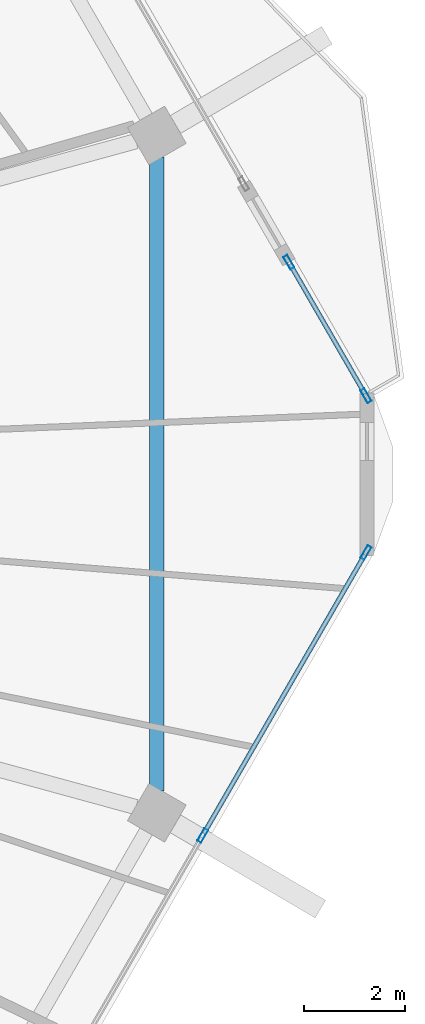
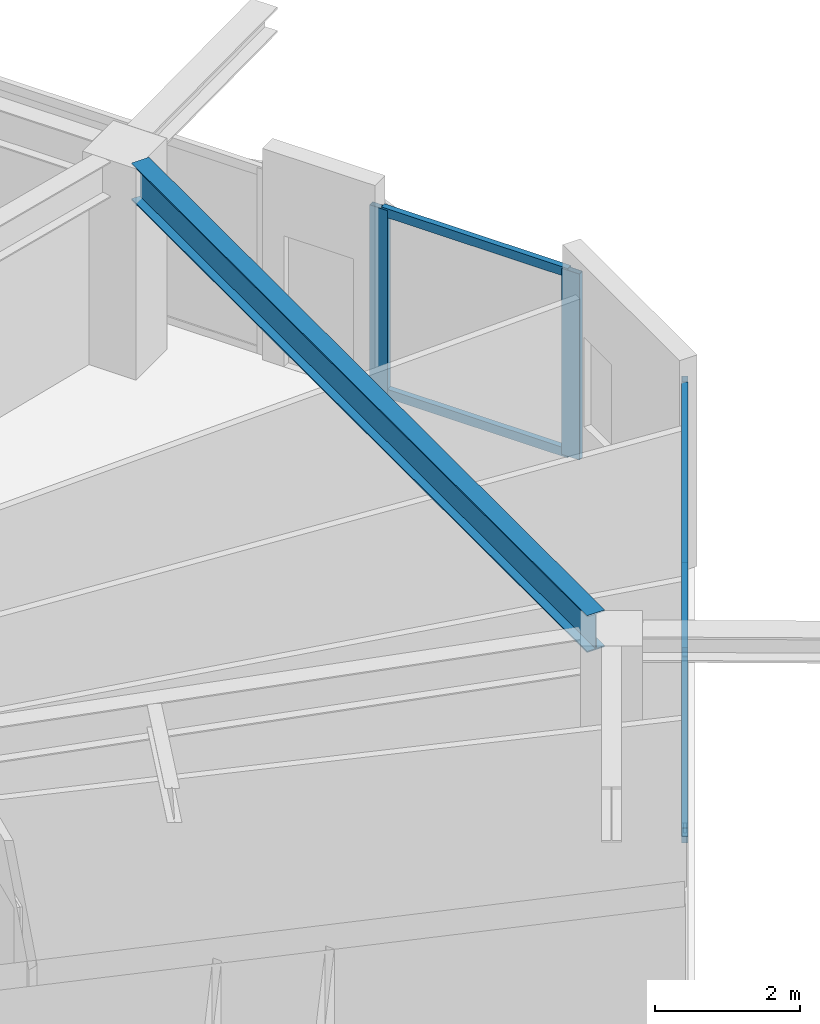
# One storey, part 10 of 26: 8 members, 1 beam, 2 elements without a shape of their own.
"""IFC4 building model written with IfcOpenShell, lengths in metres."""

from ifc_helpers import new_model, si_unit, direction, frame, origin, origin_2d, place, context, subcontext, project, spatial, hollow_rectangle, i_section, extrude, material, material_profile, profile_set, type_object, element, aggregate, save


model = new_model("IFC4")

# Units and contexts
model_context = context("Model", 3, precision=1e-05, world=origin(), true_north=direction((0.0, 1.0)))
body_context = subcontext(model_context, "Body", "Model", "MODEL_VIEW")
ifc_project = project(units=[si_unit("LENGTHUNIT", "METRE"), si_unit("AREAUNIT", "SQUARE_METRE"), si_unit("VOLUMEUNIT", "CUBIC_METRE"), si_unit("PLANEANGLEUNIT", "RADIAN"), si_unit("MASSUNIT", "GRAM", prefix="KILO")], contexts=[model_context])

# Site, building, storey
site_placement = place(None, origin())
site = spatial("IfcSite", under=ifc_project, at=site_placement, CompositionType="ELEMENT")
building_placement = place(site_placement, origin())
building = spatial("IfcBuilding", under=site, at=building_placement, Name="Zuhravey Tower", CompositionType="ELEMENT")
storey_placement = place(building_placement, frame((0.0, 0.0, 295.800048828125)))
storey = spatial("IfcBuildingStorey", under=building, at=storey_placement, Name="L75", CompositionType="ELEMENT", Elevation=295.800048828125)

# Curtain wall, members
ifc_material_1 = material(Name="Thermally broken anodised aluminium", Category="aluminium")
curtain_wall_type = type_object("IfcCurtainWallType", Name="Zone 3-4 High-Rise Curtain Wall CW4", PredefinedType="NOTDEFINED", material=ifc_material_1)
curtain_wall_1_placement = place(storey_placement, origin())
curtain_wall_1 = element("IfcCurtainWall", 1, at=curtain_wall_1_placement, inside=storey, type_object=curtain_wall_type, Name="L75 CW4 CW-L75-F6-1", PredefinedType="NOTDEFINED")
ifc_material_2 = material(Name="Anodised aluminium", Category="aluminium")
ifc_material_profile_1 = material_profile(ifc_material_2, hollow_rectangle(XDim=0.090087890625, YDim=0.284912109375, WallThickness=0.0048828125, at=origin_2d()), Name="ALU-RHS-90x285x5")
ifc_profile_set_1 = profile_set([ifc_material_profile_1], Name="Anodised aluminium")
member_type_1 = type_object("IfcMemberType", Name="Curtain-Wall Mullion 90x180", PredefinedType="MULLION", material=ifc_profile_set_1)
member_1_placement = place(storey_placement, frame((64.62255859375, 30.448486328125, 0.0), z_axis=(0.0, 0.0, 1.0), x_axis=(0.866024851021, -0.500000957414, 0.0)))
member_1 = element("IfcMember", 2, at=member_1_placement, type_object=member_type_1, Name="CW4 mullion 1", PredefinedType="MULLION", context=body_context, shape_type="SweptSolid", body=[
    extrude(hollow_rectangle(XDim=0.090087890625, YDim=0.284912109375, WallThickness=0.0048828125, at=origin_2d()), origin(), (0.0, 0.0, 1.0), 3.1220703125),
])
member_2_placement = place(storey_placement, frame((61.391845703125, 24.852783203125, 0.0), z_axis=(0.0, 0.0, 1.0), x_axis=(0.866024851021, -0.500000957414, 0.0)))
member_2 = element("IfcMember", 3, at=member_2_placement, type_object=member_type_1, Name="CW4 mullion 2", PredefinedType="MULLION", context=body_context, shape_type="SweptSolid", body=[
    extrude(hollow_rectangle(XDim=0.090087890625, YDim=0.284912109375, WallThickness=0.0048828125, at=origin_2d()), origin(), (0.0, 0.0, 1.0), 3.1220703125),
])

curtain_wall_2_placement = place(storey_placement, origin())
curtain_wall_2 = element("IfcCurtainWall", 4, at=curtain_wall_2_placement, inside=storey, type_object=curtain_wall_type, Name="L75 CW4 CW-L75-F1-2", PredefinedType="NOTDEFINED")
member_3_placement = place(storey_placement, frame((63.097412109375, 36.193359375, 0.0), z_axis=(0.0, 0.0, 1.0), x_axis=(0.866030228925, 0.499991642518, 0.0)))
member_3 = element("IfcMember", 5, at=member_3_placement, type_object=member_type_1, Name="CW4 mullion 1", PredefinedType="MULLION", context=body_context, shape_type="SweptSolid", body=[
    extrude(hollow_rectangle(XDim=0.090087890625, YDim=0.284912109375, WallThickness=0.0048828125, at=origin_2d()), origin(), (0.0, 0.0, 1.0), 3.1220703125),
])
member_4_placement = place(storey_placement, frame((64.62255859375, 33.551513671875, 0.0), z_axis=(0.0, 0.0, 1.0), x_axis=(0.866030228925, 0.499991642518, 0.0)))
member_4 = element("IfcMember", 6, at=member_4_placement, type_object=member_type_1, Name="CW4 mullion 2", PredefinedType="MULLION", context=body_context, shape_type="SweptSolid", body=[
    extrude(hollow_rectangle(XDim=0.090087890625, YDim=0.284912109375, WallThickness=0.0048828125, at=origin_2d()), origin(), (0.0, 0.0, 1.0), 3.1220703125),
])

# Member
ifc_material_profile_2 = material_profile(ifc_material_2, hollow_rectangle(XDim=0.090087890625, YDim=0.14990234375, WallThickness=0.0048828125, at=origin_2d()), Name="ALU-RHS-90x150x5")
ifc_profile_set_2 = profile_set([ifc_material_profile_2], Name="Anodised aluminium")
member_type_2 = type_object("IfcMemberType", Name="Curtain-Wall Transom 90x150", PredefinedType="USERDEFINED", material=ifc_profile_set_2)
member_5_placement = place(storey_placement, frame((64.60009765625, 30.40966796875, 0.044921875), z_axis=(-0.500008810174, -0.866020317169, 0.0), x_axis=(0.866020317169, -0.500008810174, 0.0)))
member_5 = element("IfcMember", 7, at=member_5_placement, type_object=member_type_2, Name="CW4 transom 1.1", ObjectType="TRANSOM", PredefinedType="USERDEFINED", context=body_context, shape_type="SweptSolid", body=[
    extrude(hollow_rectangle(XDim=0.090087890625, YDim=0.14990234375, WallThickness=0.0048828125, at=origin_2d()), origin(), (0.0, 0.0, 1.0), 6.37158203125),
])

member_6_placement = place(storey_placement, frame((64.60009765625, 30.40966796875, 3.076904296875), z_axis=(-0.500008810174, -0.866020317169, 0.0), x_axis=(0.866020317169, -0.500008810174, 0.0)))
member_6 = element("IfcMember", 8, at=member_6_placement, type_object=member_type_2, Name="CW4 transom 1.2", ObjectType="TRANSOM", PredefinedType="USERDEFINED", context=body_context, shape_type="SweptSolid", body=[
    extrude(hollow_rectangle(XDim=0.090087890625, YDim=0.14990234375, WallThickness=0.0048828125, at=origin_2d()), origin(), (0.0, 0.0, 1.0), 6.37158203125),
])

aggregate(curtain_wall_1, [member_1, member_2, member_5, member_6])

member_7_placement = place(storey_placement, frame((63.119873046875, 36.154541015625, 0.044921875), z_axis=(0.499943728849, -0.866057889511, 0.0), x_axis=(0.866057889511, 0.499943728849, 0.0)))
member_7 = element("IfcMember", 9, at=member_7_placement, type_object=member_type_2, Name="CW4 transom 1.1", ObjectType="TRANSOM", PredefinedType="USERDEFINED", context=body_context, shape_type="SweptSolid", body=[
    extrude(hollow_rectangle(XDim=0.090087890625, YDim=0.14990234375, WallThickness=0.0048828125, at=origin_2d()), origin(), (0.0, 0.0, 1.0), 2.960693359375),
])

member_8_placement = place(storey_placement, frame((63.119873046875, 36.154541015625, 3.076904296875), z_axis=(0.499943728849, -0.866057889511, 0.0), x_axis=(0.866057889511, 0.499943728849, 0.0)))
member_8 = element("IfcMember", 10, at=member_8_placement, type_object=member_type_2, Name="CW4 transom 1.2", ObjectType="TRANSOM", PredefinedType="USERDEFINED", context=body_context, shape_type="SweptSolid", body=[
    extrude(hollow_rectangle(XDim=0.090087890625, YDim=0.14990234375, WallThickness=0.0048828125, at=origin_2d()), origin(), (0.0, 0.0, 1.0), 2.960693359375),
])

aggregate(curtain_wall_2, [member_3, member_4, member_7, member_8])

# Beam
ifc_material_3 = material(Name="Steel SM355", Category="steel")
ifc_material_profile_3 = material_profile(ifc_material_3, i_section(OverallWidth=0.280029296875, OverallDepth=0.6201171875, WebThickness=0.011962890625, FlangeThickness=0.02001953125, at=origin_2d()), Name="H-620x280x12x20")
ifc_profile_set_3 = profile_set([ifc_material_profile_3], Name="Steel SM355")
beam_type = type_object("IfcBeamType", Name="Perimeter Ring Beam H620x280", PredefinedType="BEAM", material=ifc_profile_set_3)
beam_placement = place(storey_placement, frame((60.484619140625, 25.72900390625, 3.239990234375), z_axis=(0.0, 1.0, 0.0), x_axis=(-1.0, 0.0, 0.0)))
element("IfcBeam", 11, at=beam_placement, inside=storey, type_object=beam_type, Name="L75 PB3 BM-L75-PB-12", PredefinedType="BEAM", context=body_context, shape_type="SweptSolid", body=[
    extrude(i_section(OverallWidth=0.280029296875, OverallDepth=0.6201171875, WebThickness=0.011962890625, FlangeThickness=0.02001953125, at=origin_2d()), origin(), (0.0, 0.0, 1.0), 12.5419921875),
])

save(model, "model.ifc")
